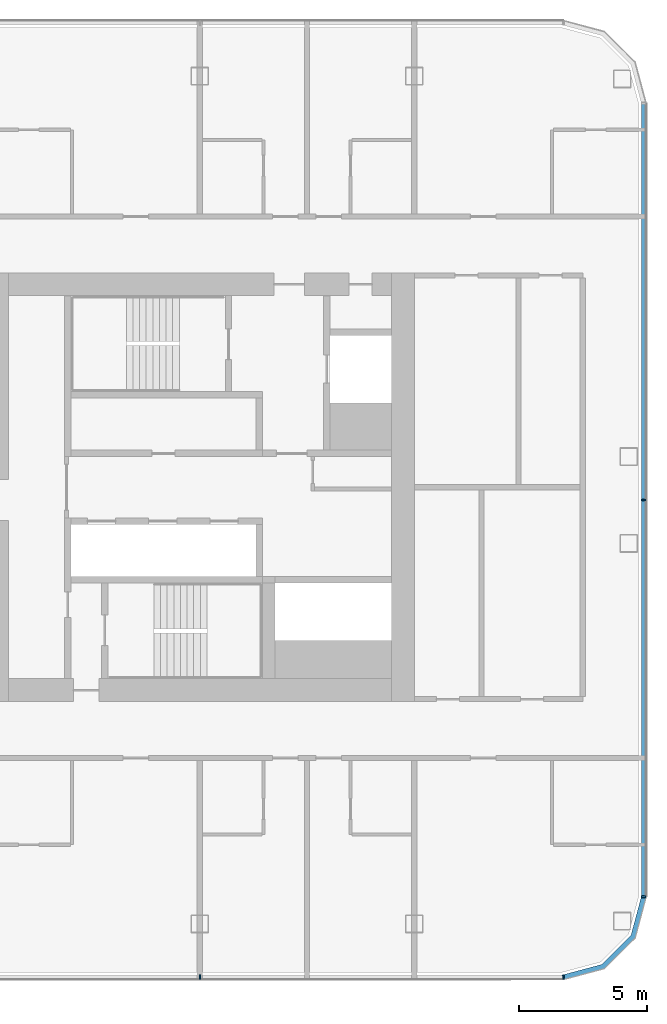
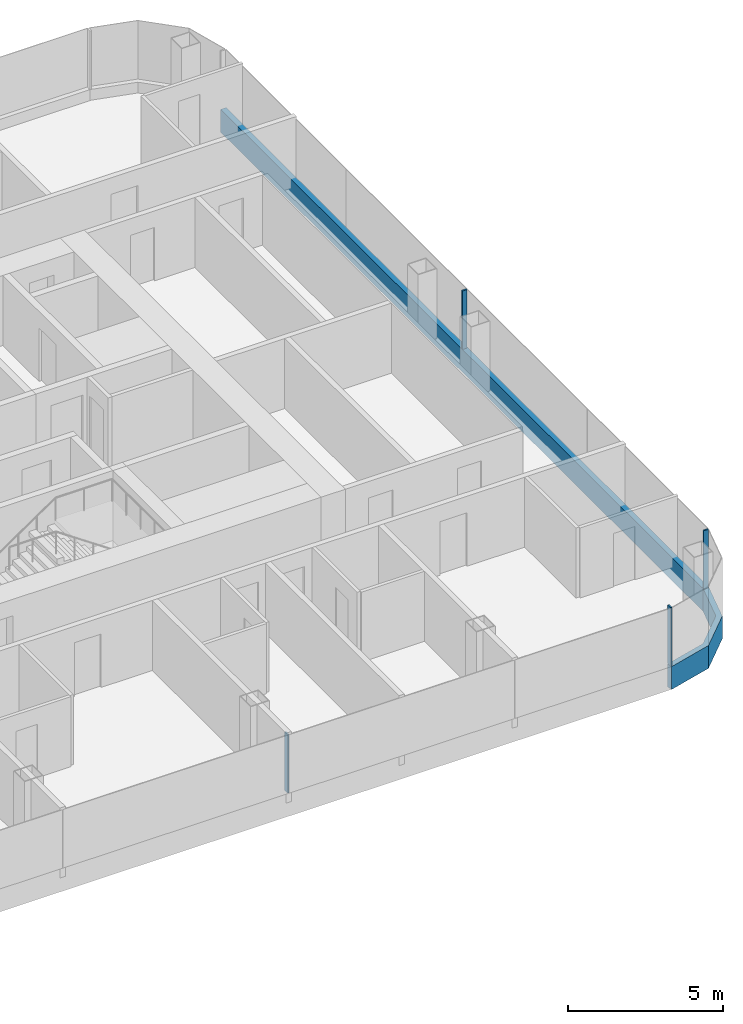
# One storey, part 9 of 26: 6 members, 3 elements without a shape of their own.
"""IFC4 building model written with IfcOpenShell, lengths in metres."""

from ifc_helpers import new_model, si_unit, direction, frame, origin, origin_2d, place, context, subcontext, project, spatial, polyline, rectangle, outline, extrude, material, layer, layer_set, material_profile, profile_set, type_object, element, aggregate, save


model = new_model("IFC4")

# Units and contexts
model_context = context("Model", 3, precision=1e-05, world=origin(), true_north=direction((0.0, 1.0)))
body_context = subcontext(model_context, "Body", "Model", "MODEL_VIEW")
ifc_project = project(units=[si_unit("LENGTHUNIT", "METRE"), si_unit("AREAUNIT", "SQUARE_METRE"), si_unit("VOLUMEUNIT", "CUBIC_METRE"), si_unit("PLANEANGLEUNIT", "RADIAN"), si_unit("MASSUNIT", "GRAM", prefix="KILO")], contexts=[model_context])

# Site, building, storey
site_placement = place(None, origin())
site = spatial("IfcSite", under=ifc_project, at=site_placement, CompositionType="ELEMENT")
building_placement = place(site_placement, origin())
building = spatial("IfcBuilding", under=site, at=building_placement, Name="Hakoniwa Tower and Hamabe Station Hall", CompositionType="ELEMENT")
storey_placement = place(building_placement, frame((0.0, 0.0, 169.39990234375)))
storey = spatial("IfcBuildingStorey", under=building, at=storey_placement, Name="L48", CompositionType="ELEMENT", Elevation=169.39990234375)

# Curtain wall, member
ifc_material_1 = material(Name="Dark low-e laminated glass", Category="glass")
ifc_layer = layer(ifc_material_1, 0.199951171875)
ifc_layer_set = layer_set([ifc_layer], Name="CW-1 UNITISED GUEST")
curtain_wall_type = type_object("IfcCurtainWallType", Name="CW-1 UNITISED GUEST", PredefinedType="NOTDEFINED", material=ifc_layer_set)
curtain_wall_1_placement = place(storey_placement, origin())
curtain_wall_1 = element("IfcCurtainWall", 1, at=curtain_wall_1_placement, inside=storey, type_object=curtain_wall_type, Name="CW-1 curtain wall", PredefinedType="NOTDEFINED")
ifc_material_2 = material(Name="Aluminium 6063-T5 black anodised", Category="aluminium")
ifc_material_profile_1 = material_profile(ifc_material_2, rectangle(XDim=0.199951171875, YDim=0.89990234375, at=origin_2d()), Name="CW SLAB-EDGE BAND 900X200")
ifc_profile_set_1 = profile_set([ifc_material_profile_1], Name="Aluminium 6063-T5 black anodised")
member_type_1 = type_object("IfcMemberType", Name="CW SLAB-EDGE BAND 900X200", PredefinedType="USERDEFINED", material=ifc_profile_set_1)
member_1_placement = place(storey_placement, frame((42.60009765625, -16.03955078125, -0.099853515625), z_axis=(0.0, 1.0, 0.0), x_axis=(-1.0, 0.0, 0.0)))
member_1 = element("IfcMember", 2, at=member_1_placement, type_object=member_type_1, Name="CW-1 transom", ObjectType="TRANSOM", PredefinedType="USERDEFINED", context=body_context, shape_type="SweptSolid", body=[
    extrude(rectangle(XDim=0.199951171875, YDim=0.89990234375, at=origin_2d()), origin(), (0.0, 0.0, 1.0), 31.0791015625),
])

curtain_wall_2_placement = place(storey_placement, origin())
curtain_wall_2 = element("IfcCurtainWall", 3, at=curtain_wall_2_placement, inside=storey, type_object=curtain_wall_type, Name="CW-1 curtain wall", PredefinedType="NOTDEFINED")
member_2_placement = place(storey_placement, frame((0.0, 0.0, -0.5498046875)))
member_2 = element("IfcMember", 4, at=member_2_placement, type_object=member_type_1, Name="CW-1 transom", ObjectType="TRANSOM", PredefinedType="USERDEFINED", context=body_context, shape_type="SweptSolid", body=[
    extrude(outline(polyline([(39.439453125, -19.300048828125), (41.05517578125, -18.866943359375), (42.26708984375, -17.6552734375), (42.699951171875, -16.03955078125), (42.5068359375, -15.98779296875), (42.087646484375, -17.5517578125), (40.95166015625, -18.687744140625), (39.3876953125, -19.10693359375), (39.439453125, -19.300048828125)])), origin(), (0.0, 0.0, 1.0), 0.89990234375),
])
aggregate(curtain_wall_2, [member_2])

# Member
ifc_material_3 = material(Name="Aluminium 6063-T5 black anodised", Category="aluminium")
ifc_material_profile_2 = material_profile(ifc_material_3, rectangle(XDim=0.06005859375, YDim=0.179931640625, at=origin_2d()), Name="CW-1 MULLION 60X180")
ifc_profile_set_2 = profile_set([ifc_material_profile_2], Name="Aluminium 6063-T5 black anodised")
member_type_2 = type_object("IfcMemberType", Name="CW-1 MULLION 60X180", PredefinedType="MULLION", material=ifc_profile_set_2)
member_3_placement = place(storey_placement, frame((42.58203125, -16.03955078125, 0.35009765625), z_axis=(0.0, 0.0, 1.0), x_axis=(0.0, 1.0, 0.0)))
member_3 = element("IfcMember", 5, at=member_3_placement, type_object=member_type_2, Name="CW-1 mullion", PredefinedType="MULLION", context=body_context, shape_type="SweptSolid", body=[
    extrude(rectangle(XDim=0.06005859375, YDim=0.179931640625, at=origin_2d()), origin(), (0.0, 0.0, 1.0), 2.300048828125),
])

member_4_placement = place(storey_placement, frame((42.58203125, -0.5, 0.35009765625), z_axis=(0.0, 0.0, 1.0), x_axis=(0.0, 1.0, 0.0)))
member_4 = element("IfcMember", 6, at=member_4_placement, type_object=member_type_2, Name="CW-1 mullion", PredefinedType="MULLION", context=body_context, shape_type="SweptSolid", body=[
    extrude(rectangle(XDim=0.06005859375, YDim=0.179931640625, at=origin_2d()), origin(), (0.0, 0.0, 1.0), 2.300048828125),
])

aggregate(curtain_wall_1, [member_3, member_4, member_1])

# Curtain wall, members
curtain_wall_3_placement = place(storey_placement, origin())
curtain_wall_3 = element("IfcCurtainWall", 7, at=curtain_wall_3_placement, inside=storey, type_object=curtain_wall_type, Name="CW-1 curtain wall", PredefinedType="NOTDEFINED")
member_5_placement = place(storey_placement, frame((25.199951171875, -19.181884765625, 0.35009765625), z_axis=(0.0, 0.0, 1.0), x_axis=(1.0, 0.0, 0.0)))
member_5 = element("IfcMember", 8, at=member_5_placement, type_object=member_type_2, Name="CW-1 mullion", PredefinedType="MULLION", context=body_context, shape_type="SweptSolid", body=[
    extrude(rectangle(XDim=0.06005859375, YDim=0.179931640625, at=origin_2d()), origin(), (0.0, 0.0, 1.0), 2.300048828125),
])
member_6_placement = place(storey_placement, frame((39.439453125, -19.181884765625, 0.35009765625), z_axis=(0.0, 0.0, 1.0), x_axis=(1.0, 0.0, 0.0)))
member_6 = element("IfcMember", 9, at=member_6_placement, type_object=member_type_2, Name="CW-1 mullion", PredefinedType="MULLION", context=body_context, shape_type="SweptSolid", body=[
    extrude(rectangle(XDim=0.06005859375, YDim=0.179931640625, at=origin_2d()), origin(), (0.0, 0.0, 1.0), 2.300048828125),
])
aggregate(curtain_wall_3, [member_5, member_6])

save(model, "model.ifc")
